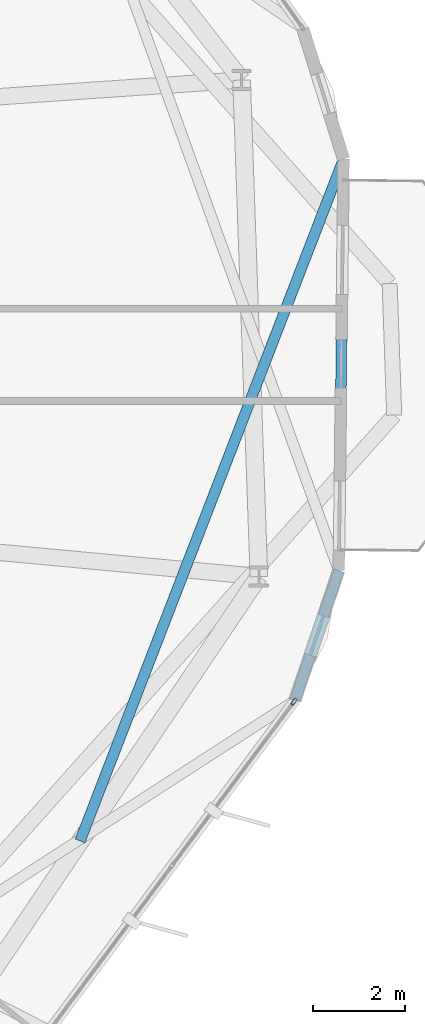
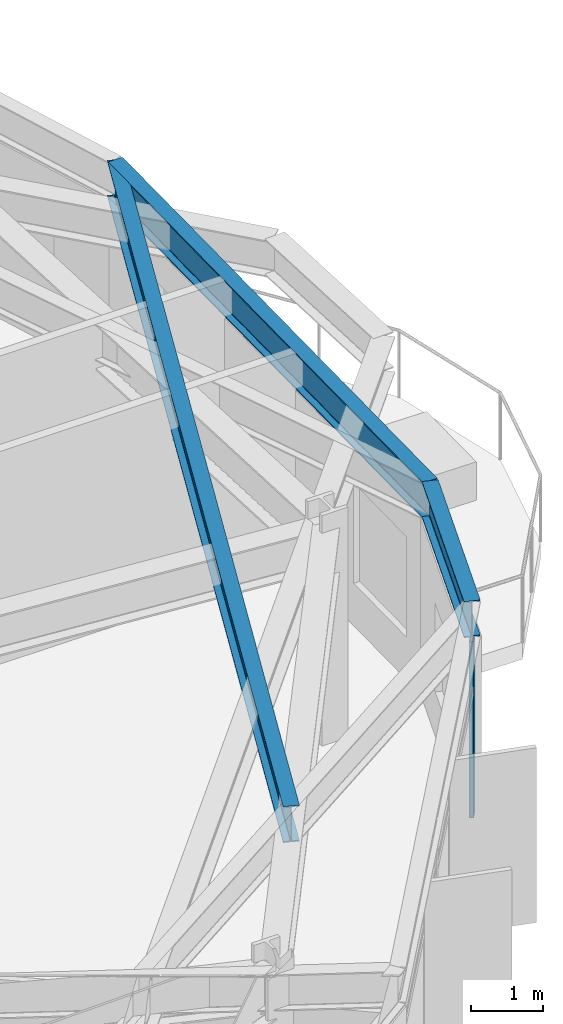
# One storey, part 13 of 27: 3 beams, 1 member, 1 element without a shape of its own.
"""IFC4 building model written with IfcOpenShell, lengths in metres."""

from ifc_helpers import new_model, si_unit, direction, frame, origin, origin_2d, place, context, subcontext, project, spatial, hollow_rectangle, i_section, extrude, material, layer, layer_set, material_profile, profile_set, type_object, element, aggregate, save


model = new_model("IFC4")

# Units and contexts
model_context = context("Model", 3, precision=1e-05, world=origin(), true_north=direction((0.0, 1.0)))
body_context = subcontext(model_context, "Body", "Model", "MODEL_VIEW")
ifc_project = project(units=[si_unit("LENGTHUNIT", "METRE"), si_unit("AREAUNIT", "SQUARE_METRE"), si_unit("VOLUMEUNIT", "CUBIC_METRE"), si_unit("PLANEANGLEUNIT", "RADIAN"), si_unit("MASSUNIT", "GRAM", prefix="KILO")], contexts=[model_context])

# Site, building, storey
site_placement = place(None, origin())
site = spatial("IfcSite", under=ifc_project, at=site_placement, CompositionType="ELEMENT")
building_placement = place(site_placement, origin())
building = spatial("IfcBuilding", under=site, at=building_placement, Name="Soratama Intermodal Tower", CompositionType="ELEMENT")
storey_placement = place(building_placement, frame((0.0, 0.0, 95.199951171875)))
storey = spatial("IfcBuildingStorey", under=building, at=storey_placement, Name="L22", CompositionType="ELEMENT", Elevation=95.199951171875)

# Beams
ifc_material_1 = material(Name="Structural steel ASTM A992 Grade 50", Category="steel")
ifc_material_profile_1 = material_profile(ifc_material_1, i_section(OverallWidth=0.22900390625, OverallDepth=0.612060546875, WebThickness=0.011962890625, FlangeThickness=0.01953125, FilletRadius=0.012939453125, at=origin_2d()), Name="W24X84")
ifc_profile_set_1 = profile_set([ifc_material_profile_1], Name="Structural steel ASTM A992 Grade 50")
beam_type_1 = type_object("IfcBeamType", Name="BM-SPN-W24X84", PredefinedType="SPANDREL", material=ifc_profile_set_1)
beam_1_placement = place(storey_placement, frame((62.507080078125, 17.52197265625, 3.2939453125), z_axis=(0.319854363548, 0.947466720323, 0.0), x_axis=(-0.947466720323, 0.319854363548, 0.0)))
element("IfcBeam", 1, at=beam_1_placement, inside=storey, type_object=beam_type_1, Name="BS-L22-CRN09", PredefinedType="SPANDREL", context=body_context, shape_type="SweptSolid", body=[
    extrude(i_section(OverallWidth=0.22900390625, OverallDepth=0.612060546875, WebThickness=0.011962890625, FlangeThickness=0.01953125, FilletRadius=0.012939453125, at=origin_2d()), origin(), (0.0, 0.0, 1.0), 2.966796875),
])
beam_2_placement = place(storey_placement, frame((63.4560546875, 20.3330078125, 3.2939453125), z_axis=(0.011564989668, 0.999933123271, 0.0), x_axis=(-0.999933123271, 0.011564989668, 0.0)))
element("IfcBeam", 2, at=beam_2_placement, inside=storey, type_object=beam_type_1, Name="BS-L22-F10", PredefinedType="SPANDREL", context=body_context, shape_type="SweptSolid", body=[
    extrude(i_section(OverallWidth=0.22900390625, OverallDepth=0.612060546875, WebThickness=0.011962890625, FlangeThickness=0.01953125, FilletRadius=0.012939453125, at=origin_2d()), origin(), (0.0, 0.0, 1.0), 8.908447265625),
])
ifc_material_2 = material(Name="Structural steel ASTM A992 Grade 50", Category="steel")
ifc_material_profile_2 = material_profile(ifc_material_2, i_section(OverallWidth=0.22900390625, OverallDepth=0.612060546875, WebThickness=0.011962890625, FlangeThickness=0.01953125, FilletRadius=0.012939453125, at=origin_2d()), Name="W24X84")
ifc_profile_set_2 = profile_set([ifc_material_profile_2], Name="Structural steel ASTM A992 Grade 50")
beam_type_2 = type_object("IfcBeamType", Name="BM-TIE-W24X84", PredefinedType="BEAM", material=ifc_profile_set_2)
beam_3_placement = place(storey_placement, frame((57.85498046875, 14.48095703125, 3.2939453125), z_axis=(0.360474639109, 0.932769014579, 0.0), x_axis=(-0.932769014579, 0.360474639109, 0.0)))
element("IfcBeam", 3, at=beam_3_placement, inside=storey, type_object=beam_type_2, Name="BM-L22-TIE1-10", PredefinedType="BEAM", context=body_context, shape_type="SweptSolid", body=[
    extrude(i_section(OverallWidth=0.22900390625, OverallDepth=0.612060546875, WebThickness=0.011962890625, FlangeThickness=0.01953125, FilletRadius=0.012939453125, at=origin_2d()), origin(), (0.0, 0.0, 1.0), 15.823974609375),
])

# Curtain wall, member
ifc_material_3 = material(Name="Double-glazed aluminium curtain wall", Category="aluminium")
ifc_layer = layer(ifc_material_3, 0.159912109375)
ifc_layer_set = layer_set([ifc_layer], Name="Double-glazed aluminium curtain wall")
curtain_wall_type = type_object("IfcCurtainWallType", Name="CW-SYS-3", PredefinedType="NOTDEFINED", material=ifc_layer_set)
curtain_wall_placement = place(storey_placement, origin())
curtain_wall = element("IfcCurtainWall", 4, at=curtain_wall_placement, inside=storey, type_object=curtain_wall_type, Name="L22 Faceted Curtain Wall F09", PredefinedType="NOTDEFINED")
ifc_material_4 = material(Name="Anodised aluminium AA 6063-T6", Category="aluminium")
ifc_material_profile_3 = material_profile(ifc_material_4, hollow_rectangle(XDim=0.070068359375, YDim=0.159912109375, WallThickness=0.0048828125, InnerFilletRadius=0.0048828125, OuterFilletRadius=0.010009765625, at=origin_2d()), Name="CWM160X70X5")
ifc_profile_set_3 = profile_set([ifc_material_profile_3], Name="Anodised aluminium AA 6063-T6")
member_type = type_object("IfcMemberType", Name="MT-CWM-3", PredefinedType="MULLION", material=ifc_profile_set_3)
member_placement = place(storey_placement, frame((62.4892578125, 17.498046875, 0.0), z_axis=(0.0, 0.0, 1.0), x_axis=(-0.802188958901, 0.597070242281, 0.0)))
member = element("IfcMember", 5, at=member_placement, type_object=member_type, Name="CW-3 mullion 3", PredefinedType="MULLION", context=body_context, shape_type="SweptSolid", body=[
    extrude(hollow_rectangle(XDim=0.070068359375, YDim=0.159912109375, WallThickness=0.0048828125, InnerFilletRadius=0.0048828125, OuterFilletRadius=0.010009765625, at=origin_2d()), origin(), (0.0, 0.0, 1.0), 2.97900390625),
])
aggregate(curtain_wall, [member])

save(model, "model.ifc")
